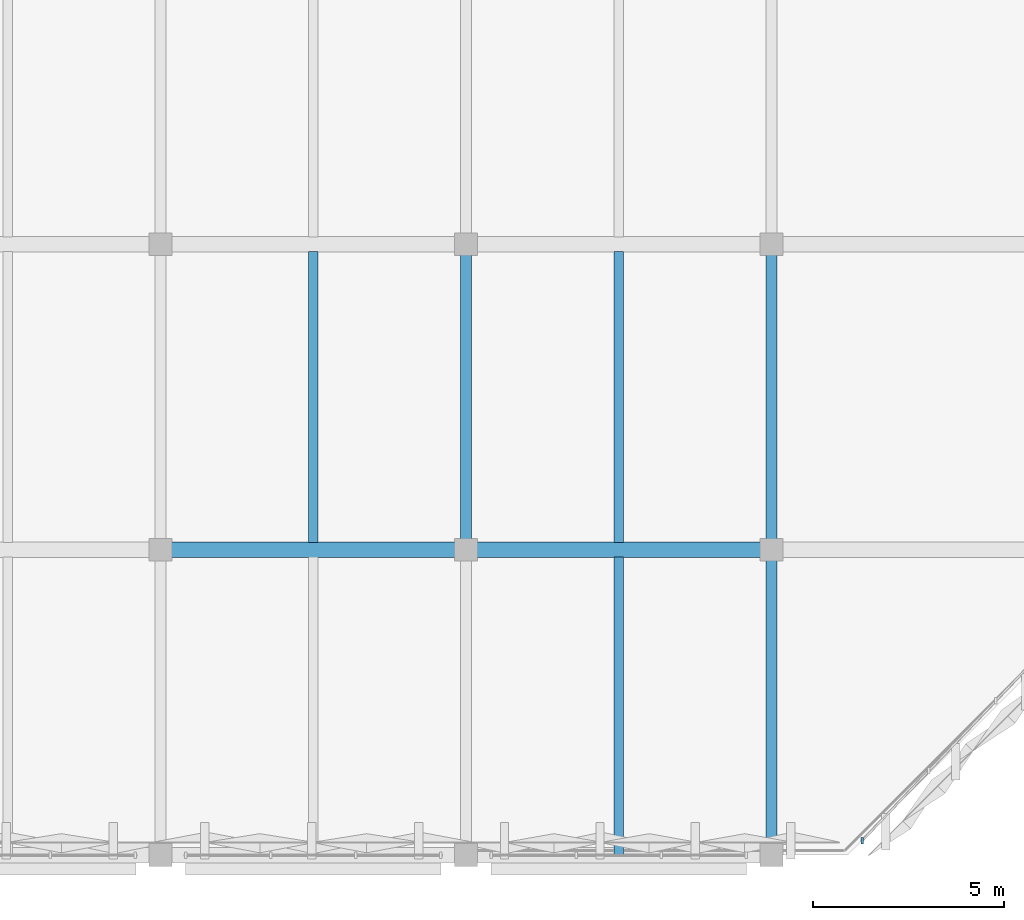
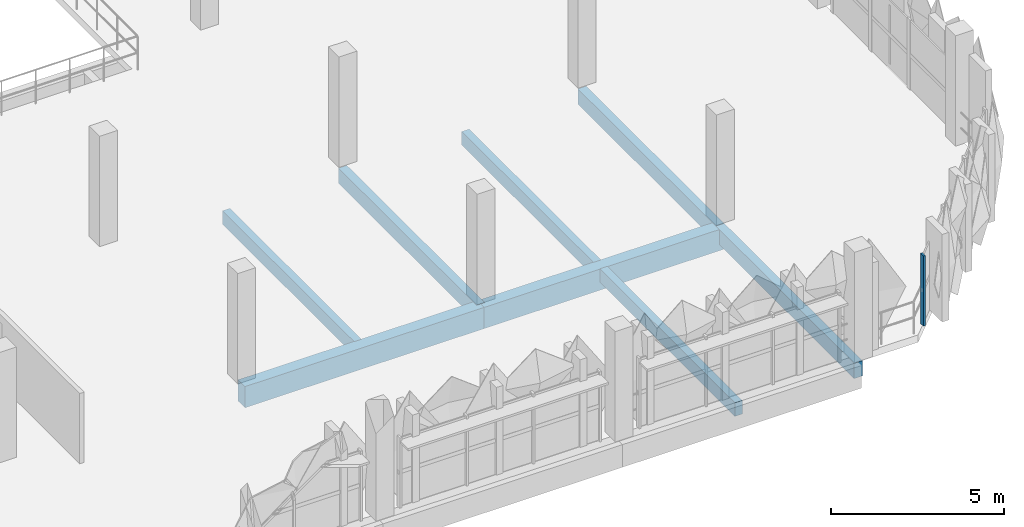
# One storey, part 44 of 123: 8 beams, 1 member, 1 element without a shape of its own.
"""IFC4 building model written with IfcOpenShell, lengths in metres."""

from ifc_helpers import new_model, si_unit, derived_unit, direction, frame, origin, origin_2d, place, context, subcontext, project, spatial, rectangle, extrude, material, layer, layer_set, material_profile, profile_set, type_object, element, aggregate, save


model = new_model("IFC4")

# Units and contexts
model_context = context("Model", 3, precision=1e-05, world=origin(), true_north=direction((0.0, 1.0)))
body_context = subcontext(model_context, "Body", "Model", "MODEL_VIEW")
ifc_project = project(units=[si_unit("LENGTHUNIT", "METRE"), si_unit("AREAUNIT", "SQUARE_METRE"), si_unit("VOLUMEUNIT", "CUBIC_METRE"), si_unit("PLANEANGLEUNIT", "RADIAN"), si_unit("MASSUNIT", "GRAM", prefix="KILO"), si_unit("THERMODYNAMICTEMPERATUREUNIT", "KELVIN"), derived_unit("THERMALTRANSMITTANCEUNIT", [(si_unit("POWERUNIT", "WATT"), 1), (si_unit("AREAUNIT", "SQUARE_METRE"), -1), (si_unit("THERMODYNAMICTEMPERATUREUNIT", "KELVIN"), -1)])], contexts=[model_context])

# Site, building, storey
site_placement = place(None, origin())
site = spatial("IfcSite", under=ifc_project, at=site_placement, CompositionType="ELEMENT")
building_placement = place(site_placement, origin())
building = spatial("IfcBuilding", under=site, at=building_placement, Name="Haiyu Intermodal Mobility Hub", CompositionType="ELEMENT")
storey_placement = place(building_placement, frame((0.0, 0.0, 5.60009765625)))
storey = spatial("IfcBuildingStorey", under=building, at=storey_placement, Name="L01", CompositionType="ELEMENT", Elevation=5.60009765625)

# Beams
ifc_material_1 = material(Name="Concrete C40", Category="concrete")
ifc_material_profile_1 = material_profile(ifc_material_1, rectangle(XDim=0.39990234375, YDim=0.75, at=origin_2d()), Name="RCB400x750")
ifc_profile_set_1 = profile_set([ifc_material_profile_1], Name="Concrete C40")
beam_type_1 = type_object("IfcBeamType", Name="BM-CB03", PredefinedType="BEAM", material=ifc_profile_set_1)
for number, where, z_axis, x_axis, name in (
    (1, (186.0, 24.0, -0.635009765625), (1.0, 0.0, 0.0), (0.0, 1.0, 0.0), "BM-V5G-L01-011"),
    (2, (194.0, 24.0, -0.635009765625), (1.0, 0.0, 0.0), (0.0, 1.0, 0.0), "BM-V5G-L01-012"),
):
    element("IfcBeam", number, at=place(storey_placement, frame(where, z_axis=z_axis, x_axis=x_axis)), inside=storey, type_object=beam_type_1, Name=name, PredefinedType="BEAM", context=body_context, shape_type="SweptSolid", body=[
        extrude(rectangle(XDim=0.39990234375, YDim=0.75, at=origin_2d()), origin(), (0.0, 0.0, 1.0), 8.0),
    ])
ifc_material_profile_2 = material_profile(ifc_material_1, rectangle(XDim=0.280029296875, YDim=0.5400390625, at=origin_2d()), Name="RCB280x540")
ifc_profile_set_2 = profile_set([ifc_material_profile_2], Name="Concrete C40")
beam_type_2 = type_object("IfcBeamType", Name="BM-CB08", PredefinedType="JOIST", material=ifc_profile_set_2)
for number, where, z_axis, x_axis, name in (
    (3, (194.0, 24.0, -0.530029296875), (0.0, 1.0, 0.0), (-1.0, 0.0, 0.0), "BM-V5T-L01-042"),
    (4, (202.0, 16.0, -0.530029296875), (0.0, 1.0, 0.0), (-1.0, 0.0, 0.0), "BM-V5T-L01-049"),
    (5, (202.0, 24.0, -0.530029296875), (0.0, 1.0, 0.0), (-1.0, 0.0, 0.0), "BM-V5T-L01-050"),
):
    element("IfcBeam", number, at=place(storey_placement, frame(where, z_axis=z_axis, x_axis=x_axis)), inside=storey, type_object=beam_type_2, Name=name, PredefinedType="JOIST", context=body_context, shape_type="SweptSolid", body=[
        extrude(rectangle(XDim=0.280029296875, YDim=0.5400390625, at=origin_2d()), origin(), (0.0, 0.0, 1.0), 8.0),
    ])
ifc_material_profile_3 = material_profile(ifc_material_1, rectangle(XDim=0.25, YDim=0.47998046875, at=origin_2d()), Name="RCB250x480")
ifc_profile_set_3 = profile_set([ifc_material_profile_3], Name="Concrete C40")
beam_type_3 = type_object("IfcBeamType", Name="BM-CB09", PredefinedType="JOIST", material=ifc_profile_set_3)
beam_1_placement = place(storey_placement, frame((190.0, 24.18505859375, -0.5), z_axis=(0.0, 1.0, 0.0), x_axis=(-1.0, 0.0, 0.0)))
element("IfcBeam", 6, at=beam_1_placement, inside=storey, type_object=beam_type_3, Name="BM-V5J-L01-016", PredefinedType="JOIST", context=body_context, shape_type="SweptSolid", body=[
    extrude(rectangle(XDim=0.25, YDim=0.47998046875, at=origin_2d()), origin(), (0.0, 0.0, 1.0), 7.6298828125),
])
beam_2_placement = place(storey_placement, frame((198.0, 16.0, -0.5), z_axis=(0.0, 1.0, 0.0), x_axis=(-1.0, 0.0, 0.0)))
element("IfcBeam", 7, at=beam_2_placement, inside=storey, type_object=beam_type_3, Name="BM-V5J-L01-021", PredefinedType="JOIST", context=body_context, shape_type="SweptSolid", body=[
    extrude(rectangle(XDim=0.25, YDim=0.47998046875, at=origin_2d()), origin(), (0.0, 0.0, 1.0), 7.81494140625),
])
beam_3_placement = place(storey_placement, frame((198.0, 24.18505859375, -0.5), z_axis=(0.0, 1.0, 0.0), x_axis=(-1.0, 0.0, 0.0)))
element("IfcBeam", 8, at=beam_3_placement, inside=storey, type_object=beam_type_3, Name="BM-V5J-L01-022", PredefinedType="JOIST", context=body_context, shape_type="SweptSolid", body=[
    extrude(rectangle(XDim=0.25, YDim=0.47998046875, at=origin_2d()), origin(), (0.0, 0.0, 1.0), 7.6298828125),
])

# Curtain wall, member
ifc_material_2 = material(Name="Low-e laminated insulating glass", Category="glass")
ifc_layer = layer(ifc_material_2, 0.2099609375)
ifc_layer_set = layer_set([ifc_layer], Name="Low-e laminated insulating glass")
curtain_wall_type = type_object("IfcCurtainWallType", Name="CW-CW04", PredefinedType="NOTDEFINED", material=ifc_layer_set)
curtain_wall_placement = place(storey_placement, origin())
curtain_wall = element("IfcCurtainWall", 9, at=curtain_wall_placement, inside=storey, type_object=curtain_wall_type, Name="Curtain Wall CW-V5CH-L01-179", PredefinedType="NOTDEFINED")
ifc_material_3 = material(Name="Anodised aluminium 6063-T6", Category="aluminium")
ifc_material_profile_4 = material_profile(ifc_material_3, rectangle(XDim=0.06494140625, YDim=0.1650390625, at=origin_2d()), Name="ALU65x165")
ifc_profile_set_4 = profile_set([ifc_material_profile_4], Name="Anodised aluminium 6063-T6")
member_type = type_object("IfcMemberType", Name="CWM-ML02", PredefinedType="MULLION", material=ifc_profile_set_4)
member_placement = place(storey_placement, frame((204.3779296875, 16.37890625, 0.0), z_axis=(0.0, 0.0, 1.0), x_axis=(1.0, 0.0, 0.0)))
member = element("IfcMember", 10, at=member_placement, type_object=member_type, Name="CW-V5CH-L01-179-ML01", PredefinedType="MULLION", context=body_context, shape_type="SweptSolid", body=[
    extrude(rectangle(XDim=0.06494140625, YDim=0.1650390625, at=origin_2d()), origin(), (0.0, 0.0, 1.0), 2.47998046875),
])
aggregate(curtain_wall, [member])

save(model, "model.ifc")
